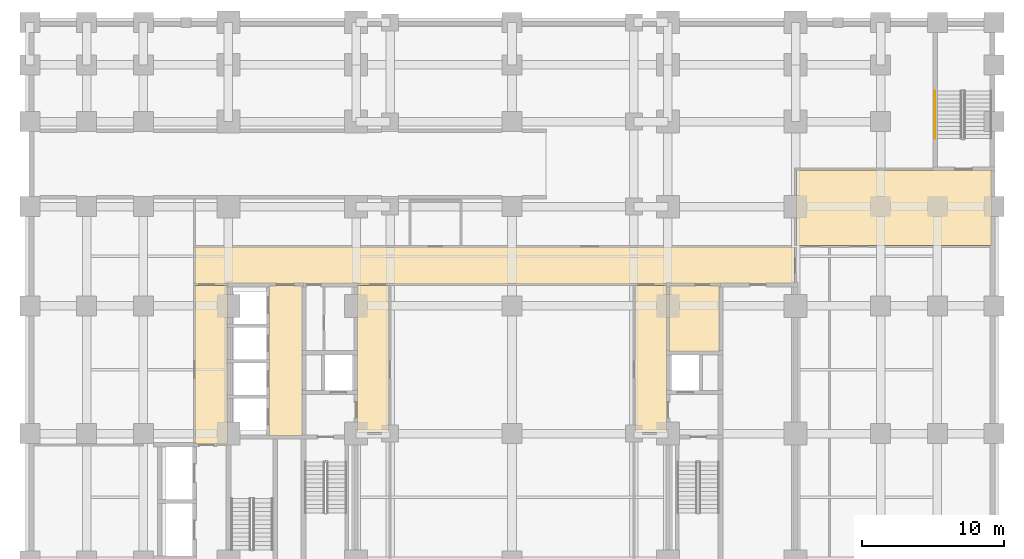
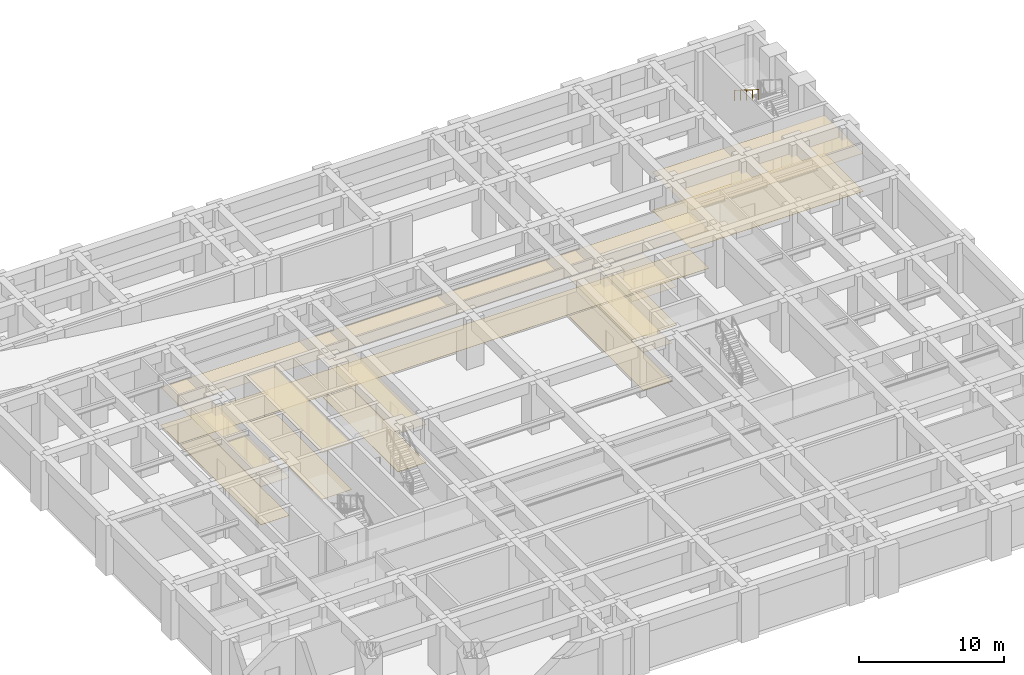
# One storey, part 12 of 14: 14 coverings, 1 railing.
"""IFC4 building model written with IfcOpenShell, lengths in metres."""

from ifc_helpers import new_model, si_unit, direction, frame, origin, origin_2d, place, context, subcontext, project, spatial, polyline, rectangle, outline, extrude, material, layer, layer_set, type_object, element, save


model = new_model("IFC4")

# Units and contexts
model_context = context("Model", 3, precision=1e-05, world=origin(), true_north=direction((0.0, 1.0)))
body_context = subcontext(model_context, "Body", "Model", "MODEL_VIEW")
ifc_project = project(units=[si_unit("LENGTHUNIT", "METRE"), si_unit("AREAUNIT", "SQUARE_METRE"), si_unit("VOLUMEUNIT", "CUBIC_METRE"), si_unit("PLANEANGLEUNIT", "RADIAN"), si_unit("MASSUNIT", "GRAM", prefix="KILO")], contexts=[model_context])

# Site, building, storey
site_placement = place(None, origin())
site = spatial("IfcSite", under=ifc_project, at=site_placement, CompositionType="ELEMENT")
building_placement = place(site_placement, origin())
building = spatial("IfcBuilding", under=site, at=building_placement, Name="Zulmaris Gate Convention Tower", CompositionType="ELEMENT")
storey_placement = place(building_placement, frame((0.0, 0.0, -4.550048828125)))
storey = spatial("IfcBuildingStorey", under=building, at=storey_placement, Name="B1", CompositionType="ELEMENT", Elevation=-4.550048828125)

# Coverings
ifc_material_1 = material(Name="Mineral Fibre Acoustic Ceiling Tile")
ifc_layer_1 = layer(ifc_material_1, 0.02001953125, Name="Mineral Fibre Acoustic Ceiling Tile")
ifc_layer_set_1 = layer_set([ifc_layer_1], Name="Mineral Fibre Acoustic Ceiling Tile")
covering_type_1 = type_object("IfcCoveringType", Name="CLG-ACOUSTIC-600", PredefinedType="CEILING", material=ifc_layer_set_1)
covering_1_placement = place(storey_placement, frame((0.0, 0.0, 3.2099609375)))
element("IfcCovering", 1, at=covering_1_placement, inside=storey, type_object=covering_type_1, Name="CLG-B1-R13", PredefinedType="CEILING", context=body_context, shape_type="SweptSolid", body=[
    extrude(outline(polyline([(11.06005859375, 5.760009765625), (14.639892578125, 5.760009765625), (14.639892578125, 10.43994140625), (11.06005859375, 10.43994140625), (11.06005859375, 5.760009765625)])), origin(), (0.0, 0.0, 1.0), 0.02001953125),
])
covering_2_placement = place(storey_placement, frame((0.0, 0.0, 3.920166015625)))
element("IfcCovering", 2, at=covering_2_placement, inside=storey, type_object=covering_type_1, Name="CLG-B1-R16", PredefinedType="CEILING", context=body_context, shape_type="SweptSolid", body=[
    extrude(outline(polyline([(-17.139892578125, -0.18994140625), (-14.760009765625, -0.18994140625), (-14.760009765625, 10.43994140625), (-17.139892578125, 10.43994140625), (-17.139892578125, -0.18994140625)])), origin(), (0.0, 0.0, 1.0), 0.019775390625),
])
covering_3_placement = place(storey_placement, frame((0.0, 0.0, 3.2099609375)))
element("IfcCovering", 3, at=covering_3_placement, inside=storey, type_object=covering_type_1, Name="CLG-B1-R29", PredefinedType="CEILING", context=body_context, shape_type="SweptSolid", body=[
    extrude(outline(polyline([(-22.340087890625, 10.56005859375), (19.93994140625, 10.56005859375), (19.93994140625, 13.139892578125), (-22.340087890625, 13.139892578125), (-22.340087890625, 10.56005859375)])), origin(), (0.0, 0.0, 1.0), 0.02001953125),
])
covering_4_placement = place(storey_placement, frame((0.0, 0.0, 3.2099609375)))
element("IfcCovering", 4, at=covering_4_placement, inside=storey, type_object=covering_type_1, Name="CLG-B1-R31", PredefinedType="CEILING", context=body_context, shape_type="SweptSolid", body=[
    extrude(outline(polyline([(-10.93994140625, 0.06005859375), (-8.659912109375, 0.06005859375), (-8.659912109375, 10.43994140625), (-10.93994140625, 10.43994140625), (-10.93994140625, 0.06005859375)])), origin(), (0.0, 0.0, 1.0), 0.02001953125),
])
covering_5_placement = place(storey_placement, frame((0.0, 0.0, 3.2099609375)))
element("IfcCovering", 5, at=covering_5_placement, inside=storey, type_object=covering_type_1, Name="CLG-B1-R33", PredefinedType="CEILING", context=body_context, shape_type="SweptSolid", body=[
    extrude(outline(polyline([(8.659912109375, 0.06005859375), (10.93994140625, 0.06005859375), (10.93994140625, 10.43994140625), (8.659912109375, 10.43994140625), (8.659912109375, 0.06005859375)])), origin(), (0.0, 0.0, 1.0), 0.02001953125),
])
covering_6_placement = place(storey_placement, frame((0.0, 0.0, 3.2099609375)))
element("IfcCovering", 6, at=covering_6_placement, inside=storey, type_object=covering_type_1, Name="CLG-B1-R35", PredefinedType="CEILING", context=body_context, shape_type="SweptSolid", body=[
    extrude(outline(polyline([(-22.340087890625, -0.739990234375), (-20.06005859375, -0.739990234375), (-20.06005859375, 10.43994140625), (-22.340087890625, 10.43994140625), (-22.340087890625, -0.739990234375)])), origin(), (0.0, 0.0, 1.0), 0.02001953125),
])
covering_7_placement = place(storey_placement, frame((0.0, 0.0, 3.2099609375)))
element("IfcCovering", 7, at=covering_7_placement, inside=storey, type_object=covering_type_1, Name="CLG-B1-R38", PredefinedType="CEILING", context=body_context, shape_type="SweptSolid", body=[
    extrude(outline(polyline([(20.06005859375, 13.260009765625), (33.840087890625, 13.260009765625), (33.840087890625, 18.590087890625), (20.06005859375, 18.590087890625), (20.06005859375, 13.260009765625)])), origin(), (0.0, 0.0, 1.0), 0.02001953125),
])
ifc_material_2 = material(Name="Woven Acoustic Wool Carpet Tile")
ifc_layer_2 = layer(ifc_material_2, 0.02001953125, Name="Woven Acoustic Wool Carpet Tile")
ifc_layer_set_2 = layer_set([ifc_layer_2], Name="Woven Acoustic Wool Carpet Tile")
covering_type_2 = type_object("IfcCoveringType", Name="FLR-CARPET-12", PredefinedType="FLOORING", material=ifc_layer_set_2)
covering_8_placement = place(storey_placement, origin())
element("IfcCovering", 8, at=covering_8_placement, inside=storey, type_object=covering_type_2, Name="FLR-B1-R13", PredefinedType="FLOORING", context=body_context, shape_type="SweptSolid", body=[
    extrude(outline(polyline([(11.06005859375, 5.760009765625), (14.639892578125, 5.760009765625), (14.639892578125, 10.43994140625), (11.06005859375, 10.43994140625), (11.06005859375, 5.760009765625)])), origin(), (0.0, 0.0, 1.0), 0.02001953125),
])
covering_9_placement = place(storey_placement, origin())
element("IfcCovering", 9, at=covering_9_placement, inside=storey, type_object=covering_type_2, Name="FLR-B1-R16", PredefinedType="FLOORING", context=body_context, shape_type="SweptSolid", body=[
    extrude(outline(polyline([(-17.139892578125, -0.18994140625), (-14.760009765625, -0.18994140625), (-14.760009765625, 10.43994140625), (-17.139892578125, 10.43994140625), (-17.139892578125, -0.18994140625)])), origin(), (0.0, 0.0, 1.0), 0.02001953125),
])
covering_10_placement = place(storey_placement, origin())
element("IfcCovering", 10, at=covering_10_placement, inside=storey, type_object=covering_type_2, Name="FLR-B1-R29", PredefinedType="FLOORING", context=body_context, shape_type="SweptSolid", body=[
    extrude(outline(polyline([(-22.340087890625, 10.56005859375), (19.93994140625, 10.56005859375), (19.93994140625, 13.139892578125), (-22.340087890625, 13.139892578125), (-22.340087890625, 10.56005859375)])), origin(), (0.0, 0.0, 1.0), 0.02001953125),
])
covering_11_placement = place(storey_placement, origin())
element("IfcCovering", 11, at=covering_11_placement, inside=storey, type_object=covering_type_2, Name="FLR-B1-R31", PredefinedType="FLOORING", context=body_context, shape_type="SweptSolid", body=[
    extrude(outline(polyline([(-10.93994140625, 0.06005859375), (-8.659912109375, 0.06005859375), (-8.659912109375, 10.43994140625), (-10.93994140625, 10.43994140625), (-10.93994140625, 0.06005859375)])), origin(), (0.0, 0.0, 1.0), 0.02001953125),
])
covering_12_placement = place(storey_placement, origin())
element("IfcCovering", 12, at=covering_12_placement, inside=storey, type_object=covering_type_2, Name="FLR-B1-R33", PredefinedType="FLOORING", context=body_context, shape_type="SweptSolid", body=[
    extrude(outline(polyline([(8.659912109375, 0.06005859375), (10.93994140625, 0.06005859375), (10.93994140625, 10.43994140625), (8.659912109375, 10.43994140625), (8.659912109375, 0.06005859375)])), origin(), (0.0, 0.0, 1.0), 0.02001953125),
])
covering_13_placement = place(storey_placement, origin())
element("IfcCovering", 13, at=covering_13_placement, inside=storey, type_object=covering_type_2, Name="FLR-B1-R35", PredefinedType="FLOORING", context=body_context, shape_type="SweptSolid", body=[
    extrude(outline(polyline([(-22.340087890625, -0.739990234375), (-20.06005859375, -0.739990234375), (-20.06005859375, 10.43994140625), (-22.340087890625, 10.43994140625), (-22.340087890625, -0.739990234375)])), origin(), (0.0, 0.0, 1.0), 0.02001953125),
])
covering_14_placement = place(storey_placement, origin())
element("IfcCovering", 14, at=covering_14_placement, inside=storey, type_object=covering_type_2, Name="FLR-B1-R38", PredefinedType="FLOORING", context=body_context, shape_type="SweptSolid", body=[
    extrude(outline(polyline([(20.06005859375, 13.260009765625), (33.840087890625, 13.260009765625), (33.840087890625, 18.590087890625), (20.06005859375, 18.590087890625), (20.06005859375, 13.260009765625)])), origin(), (0.0, 0.0, 1.0), 0.02001953125),
])

# Railing
ifc_material_3 = material(Name="Brushed Stainless Steel", Category="steel")
railing_type = type_object("IfcRailingType", Name="RL-STH-900", PredefinedType="HANDRAIL", material=ifc_material_3)
railing_placement = place(storey_placement, frame((29.830078125, 24.159912109375, 2.449951171875)))
element("IfcRailing", 15, at=railing_placement, inside=storey, type_object=railing_type, Name="B1 ST-5 stair handrail 2", PredefinedType="HANDRAIL", context=body_context, shape_type="SweptSolid", body=[
    extrude(rectangle(XDim=0.048095703125, YDim=0.048095703125, at=origin_2d()), frame((0.0, 0.0, 0.8759765625), z_axis=(0.0, -0.847977533471, 0.530032171408), x_axis=(1.0, 0.0, 0.0)), (0.0, 0.0, 1.0), 3.962158203125),
    extrude(rectangle(XDim=0.0419921875, YDim=0.0419921875, at=origin_2d()), origin(), (0.0, 0.0, 1.0), 0.851806640625),
    extrude(rectangle(XDim=0.0419921875, YDim=0.0419921875, at=origin_2d()), frame((0.0, -0.83984375, 0.52490234375)), (0.0, 0.0, 1.0), 0.851806640625),
    extrude(rectangle(XDim=0.0419921875, YDim=0.0419921875, at=origin_2d()), frame((0.0, -1.679931640625, 1.050048828125)), (0.0, 0.0, 1.0), 0.851806640625),
    extrude(rectangle(XDim=0.0419921875, YDim=0.0419921875, at=origin_2d()), frame((0.0, -2.52001953125, 1.5751953125)), (0.0, 0.0, 1.0), 0.851806640625),
    extrude(rectangle(XDim=0.0419921875, YDim=0.0419921875, at=origin_2d()), frame((0.0, -3.35986328125, 2.10009765625)), (0.0, 0.0, 1.0), 0.851806640625),
])

save(model, "model.ifc")
